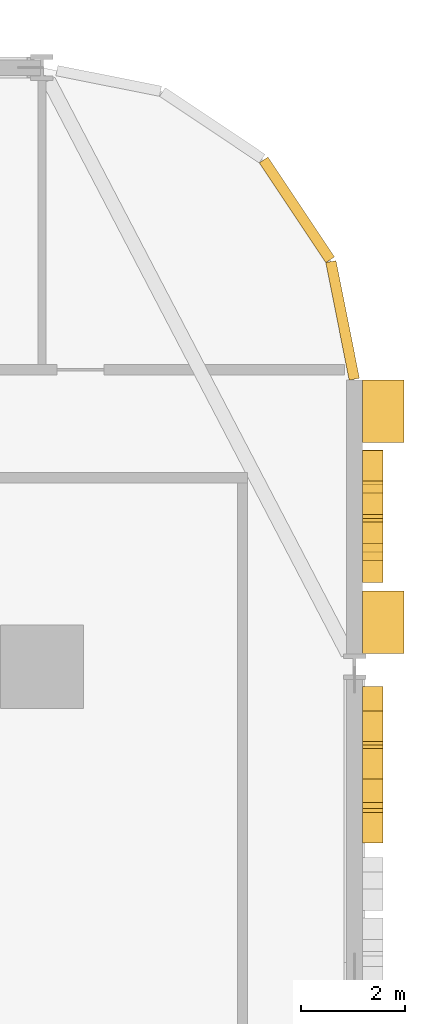
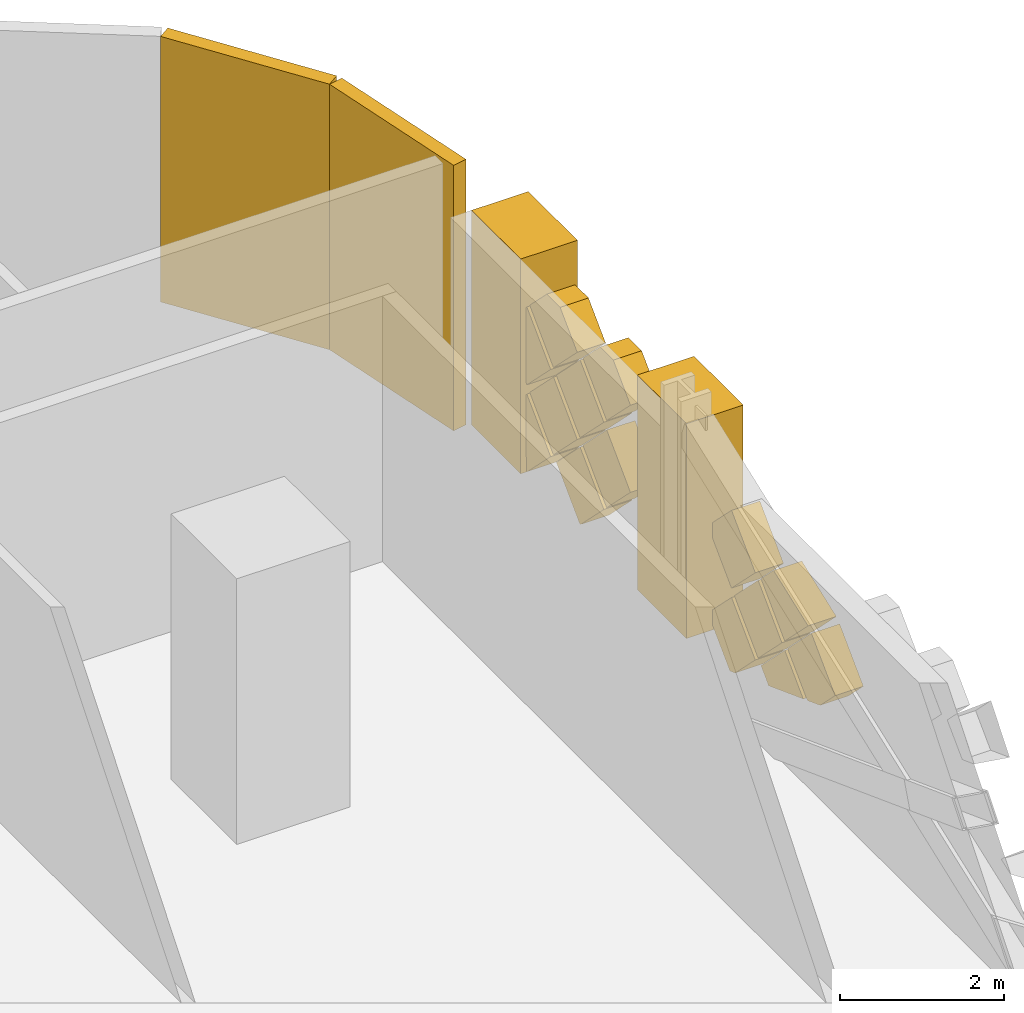
# One storey, part 29 of 29: 18 coverings.
"""IFC4 building model written with IfcOpenShell, lengths in metres."""

from ifc_helpers import new_model, si_unit, direction, frame, origin, origin_2d, place, context, subcontext, project, spatial, polyline, rectangle, outline, extrude, material, layer, layer_set, type_object, element, save


model = new_model("IFC4")

# Units and contexts
model_context = context("Model", 3, precision=1e-05, world=origin(), true_north=direction((0.0, 1.0)))
body_context = subcontext(model_context, "Body", "Model", "MODEL_VIEW")
ifc_project = project(units=[si_unit("LENGTHUNIT", "METRE"), si_unit("AREAUNIT", "SQUARE_METRE"), si_unit("VOLUMEUNIT", "CUBIC_METRE"), si_unit("PLANEANGLEUNIT", "RADIAN"), si_unit("MASSUNIT", "GRAM", prefix="KILO")], contexts=[model_context])

# Site, building, storey
site_placement = place(None, origin())
site = spatial("IfcSite", under=ifc_project, at=site_placement, CompositionType="ELEMENT")
building_placement = place(site_placement, origin())
building = spatial("IfcBuilding", under=site, at=building_placement, Name="Mahtab Terrace Research Tower", CompositionType="ELEMENT")
storey_placement = place(building_placement, frame((0.0, 0.0, 20.10009765625)))
storey = spatial("IfcBuildingStorey", under=building, at=storey_placement, Name="L04", CompositionType="ELEMENT", Elevation=20.10009765625)

# Coverings
ifc_material_1 = material(Name="Black aluminium cladding panel", Category="aluminium")
ifc_layer_1 = layer(ifc_material_1, 0.199951171875)
ifc_layer_set_1 = layer_set([ifc_layer_1], Name="Black metal corner cladding 200")
covering_type_1 = type_object("IfcCoveringType", Name="Black metal corner cladding 200", PredefinedType="CLADDING", material=ifc_layer_set_1)
for number, where, z_axis, x_axis, name in (
    (1, (46.89306640625, 20.26953125, 0.0), (0.0, 0.0, 1.0), (-0.555291490808, 0.831655794326, 0.0), "Corner cladding L04 0"),
    (2, (47.771484375, 18.14794921875, 0.0), (0.0, 0.0, 1.0), (-0.195212442692, 0.980760981187, 0.0), "Corner cladding L04 37"),
):
    element("IfcCovering", number, at=place(storey_placement, frame(where, z_axis=z_axis, x_axis=x_axis)), inside=storey, type_object=covering_type_1, Name=name, PredefinedType="CLADDING", context=body_context, shape_type="SweptSolid", body=[
        extrude(rectangle(XDim=2.30126953125, YDim=0.199951171875, at=origin_2d()), origin(), (0.0, 0.0, 1.0), 3.9599609375),
    ])
ifc_material_2 = material(Name="Bronze anodised aluminium", Category="aluminium")
ifc_layer_2 = layer(ifc_material_2, 0.39990234375)
ifc_layer_set_2 = layer_set([ifc_layer_2], Name="Mashrabiya relief panel 400")
covering_type_2 = type_object("IfcCoveringType", Name="Mashrabiya relief panel 400", PredefinedType="CLADDING", material=ifc_layer_set_2)
covering_1_placement = place(storey_placement, frame((48.14990234375, 8.118896484375, 1.349853515625), z_axis=(-1.0, 0.0, 0.0), x_axis=(0.0, 0.707106781187, 0.707106781187)))
element("IfcCovering", 3, at=covering_1_placement, inside=storey, type_object=covering_type_2, Name="Mashrabiya lattice cell L04 E35.11", PredefinedType="CLADDING", context=body_context, shape_type="SweptSolid", body=[
    extrude(outline(polyline([(0.0, 0.0), (0.8203543516109556, 0.0), (0.8203543516109556, 0.8203543516109556), (0.13724362574299442, 0.820181718119455), (0.0001726334915006511, 0.5191089089423703), (0.0, 0.0)])), origin(), (0.0, 0.0, -1.0), 0.39990234375),
])
covering_2_placement = place(storey_placement, frame((48.14990234375, 9.34912109375, 1.27978515625), z_axis=(-1.0, 0.0, 0.0), x_axis=(0.0, 0.707106781187, -0.707106781187)))
element("IfcCovering", 4, at=covering_2_placement, inside=storey, type_object=covering_type_2, Name="Mashrabiya lattice cell L04 E35.12", PredefinedType="CLADDING", context=body_context, shape_type="SweptSolid", body=[
    extrude(outline(polyline([(0.0, 0.0), (0.8200090846279543, 0.0), (0.8200090846279544, 0.2644745089789529), (-0.0001726334915005956, 0.6378807510947981), (0.0, 0.0)])), origin(), (0.0, 0.0, -1.0), 0.39990234375),
])
covering_3_placement = place(storey_placement, frame((48.14990234375, 9.928955078125, 2.0), z_axis=(-1.0, 0.0, 0.0), x_axis=(0.0, -0.706957932274, -0.707255598772)))
element("IfcCovering", 5, at=covering_3_placement, inside=storey, type_object=covering_type_2, Name="Mashrabiya lattice cell L04 E35.13", PredefinedType="CLADDING", context=body_context, shape_type="SweptSolid", body=[
    extrude(outline(polyline([(0.0, 0.0), (0.8201817362875763, 0.0), (0.8200120460355347, 0.8061983874495325), (-9.076793353315904e-05, 0.4312384522160455), (0.0, 0.0)])), origin(), (0.0, 0.0, -1.0), 0.39990234375),
])
covering_4_placement = place(storey_placement, frame((48.14990234375, 9.9990234375, 1.929931640625), z_axis=(-1.0, 0.0, 0.0), x_axis=(0.0, 0.707106781187, -0.707106781187)))
element("IfcCovering", 6, at=covering_4_placement, inside=storey, type_object=covering_type_2, Name="Mashrabiya lattice cell L04 E35.14", PredefinedType="CLADDING", context=body_context, shape_type="SweptSolid", body=[
    extrude(outline(polyline([(0.0, 0.0), (0.8203543516109556, 0.0), (0.820181718119455, 0.820181718119455), (0.0, 0.8203543516109556), (0.0, 0.0)])), origin(), (0.0, 0.0, -1.0), 0.39990234375),
])
covering_5_placement = place(storey_placement, frame((48.14990234375, 10.069091796875, 0.699951171875), z_axis=(-1.0, 0.0, 0.0), x_axis=(0.0, 0.707106781187, 0.707106781187)))
element("IfcCovering", 7, at=covering_5_placement, inside=storey, type_object=covering_type_2, Name="Mashrabiya lattice cell L04 E35.15", PredefinedType="CLADDING", context=body_context, shape_type="SweptSolid", body=[
    extrude(outline(polyline([(0.0, 0.0), (0.8200090846279543, 0.0), (0.8201817181194551, 0.660323104989879), (0.660323104989879, 0.8201817181194551), (0.05645115172070336, 0.820181718119455), (-0.0001726334915006511, 0.6972666721710121), (0.0, 0.0)])), origin(), (0.0, 0.0, -1.0), 0.39990234375),
])
covering_6_placement = place(storey_placement, frame((48.14990234375, 10.64892578125, 1.419921875), z_axis=(-1.0, 0.0, 0.0), x_axis=(0.0, -0.706957932274, 0.707255598772)))
element("IfcCovering", 8, at=covering_6_placement, inside=storey, type_object=covering_type_2, Name="Mashrabiya lattice cell L04 E35.16", PredefinedType="CLADDING", context=body_context, shape_type="SweptSolid", body=[
    extrude(outline(polyline([(0.0, 0.0), (0.8201817362875763, 0.0), (0.8203543334390104, 0.8200090664636573), (0.15985860958849407, 0.8201480889271073), (0.00013902246344993374, 0.6604957238505165), (0.0, 0.0)])), origin(), (0.0, 0.0, -1.0), 0.39990234375),
])
covering_7_placement = place(storey_placement, frame((48.14990234375, 13.698974609375, 1.929931640625), z_axis=(-1.0, 0.0, 0.0), x_axis=(0.0, 0.707106781187, -0.707106781187)))
element("IfcCovering", 9, at=covering_7_placement, inside=storey, type_object=covering_type_2, Name="Mashrabiya lattice cell L04 E36.1", PredefinedType="CLADDING", context=body_context, shape_type="SweptSolid", body=[
    extrude(outline(polyline([(0.0, 0.0), (0.8203543516109556, 0.0), (0.820181718119455, 0.820181718119455), (0.0, 0.8203543516109556), (0.0, 0.0)])), origin(), (0.0, 0.0, -1.0), 0.39990234375),
])
covering_8_placement = place(storey_placement, frame((48.14990234375, 14.279052734375, 2.64990234375), z_axis=(-1.0, 0.0, 0.0), x_axis=(0.0, -0.707106781187, -0.707106781187)))
element("IfcCovering", 10, at=covering_8_placement, inside=storey, type_object=covering_type_2, Name="Mashrabiya lattice cell L04 E36.2", PredefinedType="CLADDING", context=body_context, shape_type="SweptSolid", body=[
    extrude(outline(polyline([(0.0, 0.0), (0.8203543516109556, 0.0), (0.8203543516109556, 0.8203543516109556), (0.22908464322132532, 0.8201817181194548), (0.0, 0.5910970748981296), (0.0, 0.0)])), origin(), (0.0, 0.0, -1.0), 0.39990234375),
])
covering_9_placement = place(storey_placement, frame((48.14990234375, 13.76904296875, 0.699951171875), z_axis=(-1.0, 0.0, 0.0), x_axis=(0.0, 0.707255598772, 0.706957932274)))
element("IfcCovering", 11, at=covering_9_placement, inside=storey, type_object=covering_type_2, Name="Mashrabiya lattice cell L04 E36.3", PredefinedType="CLADDING", context=body_context, shape_type="SweptSolid", body=[
    extrude(outline(polyline([(0.0, 0.0), (0.8201817362875763, 0.0), (0.8203543334390104, 0.8200090664636573), (0.02140655247189338, 0.8201772305935178), (0.0001681641298604819, 0.798947780967117), (0.0, 0.0)])), origin(), (0.0, 0.0, -1.0), 0.39990234375),
])
covering_10_placement = place(storey_placement, frame((48.14990234375, 14.34912109375, 2.579833984375), z_axis=(-1.0, 0.0, 0.0), x_axis=(0.0, 0.707106781187, -0.707106781187)))
element("IfcCovering", 12, at=covering_10_placement, inside=storey, type_object=covering_type_2, Name="Mashrabiya lattice cell L04 E36.4", PredefinedType="CLADDING", context=body_context, shape_type="SweptSolid", body=[
    extrude(outline(polyline([(0.0, 0.0), (0.8200090846279543, 0.0), (0.820181718119455, 0.820181718119455), (-0.0001726334915006511, 0.820181718119455), (0.0, 0.0)])), origin(), (0.0, 0.0, -1.0), 0.39990234375),
])
covering_11_placement = place(storey_placement, frame((48.14990234375, 14.9990234375, 1.929931640625), z_axis=(-1.0, 0.0, 0.0), x_axis=(0.0, 0.707106781187, -0.707106781187)))
element("IfcCovering", 13, at=covering_11_placement, inside=storey, type_object=covering_type_2, Name="Mashrabiya lattice cell L04 E36.5", PredefinedType="CLADDING", context=body_context, shape_type="SweptSolid", body=[
    extrude(outline(polyline([(0.0, 0.0), (0.8203543516109556, 0.0), (0.820181718119455, 0.820181718119455), (0.0, 0.8203543516109556), (0.0, 0.0)])), origin(), (0.0, 0.0, -1.0), 0.39990234375),
])
covering_12_placement = place(storey_placement, frame((48.14990234375, 15.5791015625, 2.64990234375), z_axis=(-1.0, 0.0, 0.0), x_axis=(0.0, -0.707106781187, -0.707106781187)))
element("IfcCovering", 14, at=covering_12_placement, inside=storey, type_object=covering_type_2, Name="Mashrabiya lattice cell L04 E36.6", PredefinedType="CLADDING", context=body_context, shape_type="SweptSolid", body=[
    extrude(outline(polyline([(0.0, 0.0), (0.8203543516109556, 0.0), (0.8203543516109556, 0.8203543516109556), (0.22925727671282597, 0.8203543516109555), (0.0001726334915006511, 0.5912697083896302), (0.0, 0.0)])), origin(), (0.0, 0.0, -1.0), 0.39990234375),
])
covering_13_placement = place(storey_placement, frame((48.14990234375, 15.069091796875, 0.699951171875), z_axis=(-1.0, 0.0, 0.0), x_axis=(0.0, 0.707106781187, 0.707106781187)))
element("IfcCovering", 15, at=covering_13_placement, inside=storey, type_object=covering_type_2, Name="Mashrabiya lattice cell L04 E36.7", PredefinedType="CLADDING", context=body_context, shape_type="SweptSolid", body=[
    extrude(outline(polyline([(0.0, 0.0), (0.8200090846279543, 0.0), (0.820181718119455, 0.02261498738658152), (0.021233919454576533, 0.820181718119455), (0.0, 0.7989477986648784), (0.0, 0.0)])), origin(), (0.0, 0.0, -1.0), 0.39990234375),
])
covering_14_placement = place(storey_placement, frame((48.14990234375, 15.64892578125, 1.419921875), z_axis=(-1.0, 0.0, 0.0), x_axis=(0.0, -0.706957932274, 0.707255598772)))
element("IfcCovering", 16, at=covering_14_placement, inside=storey, type_object=covering_type_2, Name="Mashrabiya lattice cell L04 E36.8", PredefinedType="CLADDING", context=body_context, shape_type="SweptSolid", body=[
    extrude(outline(polyline([(0.0, 0.0), (0.8201817362875763, 0.0), (0.8203543334390104, 0.8200090664636573), (0.7977393828896235, 0.8201864599990892), (-0.00016787343992121818, 0.022615023221871693), (0.0, 0.0)])), origin(), (0.0, 0.0, -1.0), 0.39990234375),
])
ifc_material_3 = material(Name="Glazed ceramic tile cladding", Category="masonry")
ifc_layer_3 = layer(ifc_material_3, 0.800048828125)
ifc_layer_set_3 = layer_set([ifc_layer_3], Name="Pishtaq frame pier 800")
covering_type_3 = type_object("IfcCoveringType", Name="Pishtaq frame pier 800", PredefinedType="CLADDING", material=ifc_layer_set_3)
for number, where, z_axis, x_axis, name in (
    (17, (48.550048828125, 12.34912109375, 0.00048828125), (0.0, 0.0, 1.0), (0.0, 1.0, 0.0), "Pishtaq frame pier 36a"),
    (18, (48.550048828125, 16.39990234375, 0.00048828125), (0.0, 0.0, 1.0), (0.0, 1.0, 0.0), "Pishtaq frame pier 36b"),
):
    element("IfcCovering", number, at=place(storey_placement, frame(where, z_axis=z_axis, x_axis=x_axis)), inside=storey, type_object=covering_type_3, Name=name, PredefinedType="CLADDING", context=body_context, shape_type="SweptSolid", body=[
        extrude(rectangle(XDim=1.199951171875, YDim=0.800048828125, at=origin_2d()), origin(), (0.0, 0.0, 1.0), 3.202880859375),
    ])

save(model, "model.ifc")
